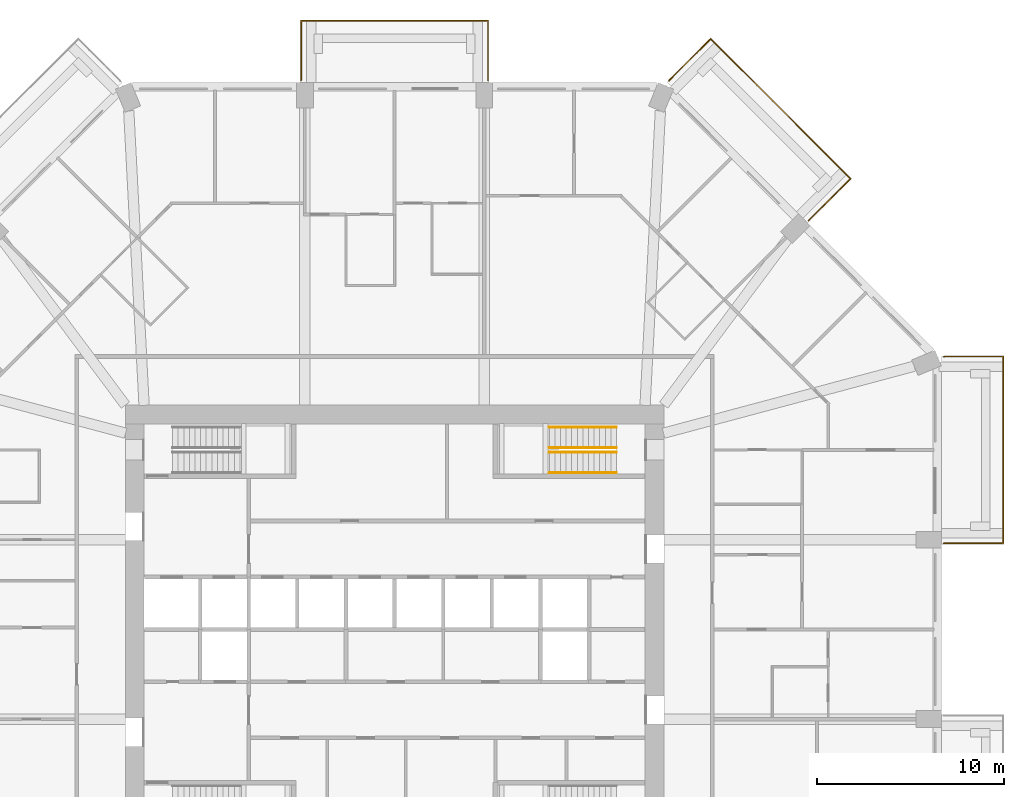
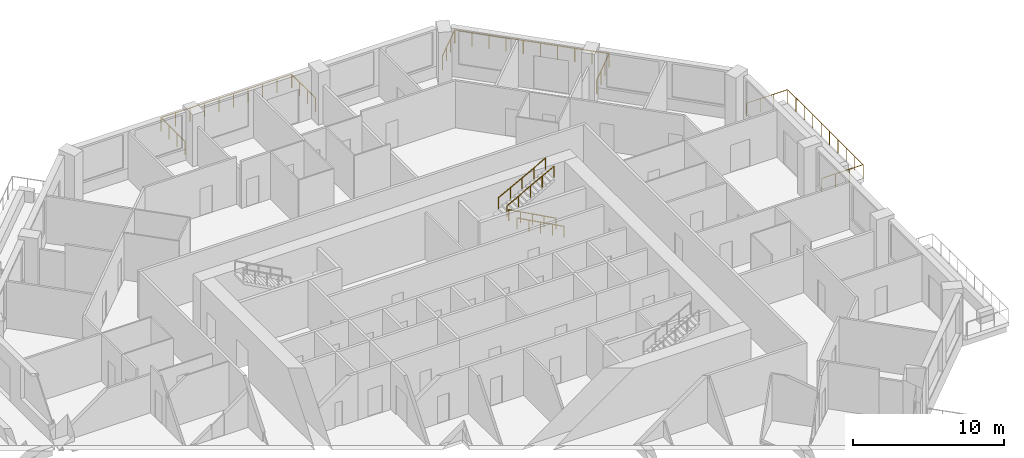
# One storey, part 13 of 13: 7 railings.
"""IFC4 building model written with IfcOpenShell, lengths in metres."""

from ifc_helpers import new_model, si_unit, direction, frame, origin, origin_2d, place, context, subcontext, project, spatial, circle, extrude, material, constituent, constituent_set, type_object, element, save


model = new_model("IFC4")

# Units and contexts
model_context = context("Model", 3, precision=1e-05, world=origin(), true_north=direction((0.0, 1.0)))
body_context = subcontext(model_context, "Body", "Model", "MODEL_VIEW")
ifc_project = project(units=[si_unit("LENGTHUNIT", "METRE"), si_unit("AREAUNIT", "SQUARE_METRE"), si_unit("VOLUMEUNIT", "CUBIC_METRE"), si_unit("PLANEANGLEUNIT", "RADIAN"), si_unit("MASSUNIT", "GRAM", prefix="KILO")], contexts=[model_context])

# Site, building, storey
site_placement = place(None, origin())
site = spatial("IfcSite", under=ifc_project, at=site_placement, CompositionType="ELEMENT")
building_placement = place(site_placement, origin())
building = spatial("IfcBuilding", under=site, at=building_placement, Name="Msitu Wima Residences", CompositionType="ELEMENT")
storey_placement = place(building_placement, frame((0.0, 0.0, 92.699951171875)))
storey = spatial("IfcBuildingStorey", under=building, at=storey_placement, Name="L21", CompositionType="ELEMENT", Elevation=92.699951171875)

# Railings
ifc_material_1 = material(Name="Steel S355", Category="steel")
ifc_constituent_1 = constituent(ifc_material_1, Name="Steel S355")
ifc_material_2 = material(Name="Weathering patina")
ifc_constituent_2 = constituent(ifc_material_2, Name="Weathering patina")
ifc_constituent_set_1 = constituent_set(constituents=[ifc_constituent_1, ifc_constituent_2], Name="Steel S355")
railing_type_1 = type_object("IfcRailingType", Name="Balcony guard GR1100", PredefinedType="GUARDRAIL", material=ifc_constituent_set_1)
railing_1_placement = place(storey_placement, frame((29.3798828125, 14.586181640625, 0.0)))
element("IfcRailing", 1, at=railing_1_placement, inside=storey, type_object=railing_type_1, Name="Balcony guard E2 L21", PredefinedType="GUARDRAIL", context=body_context, shape_type="SweptSolid", body=[
    extrude(circle(Radius=0.02392578125, at=origin_2d()), frame((0.0, 0.0, 1.076171875), z_axis=(0.92426142649, 0.38176015442, 0.0), x_axis=(-0.38176015442, 0.92426142649, 0.0)), (0.0, 0.0, 1.0), 0.036376953125),
    extrude(circle(Radius=0.02392578125, at=origin_2d()), frame((0.03369140625, 0.013916015625, 1.076171875), z_axis=(1.0, 0.0, 0.0), x_axis=(0.0, 1.0, 0.0)), (0.0, 0.0, 1.0), 3.136474609375),
    extrude(circle(Radius=0.02392578125, at=origin_2d()), frame((3.170166015625, 0.013916015625, 1.076171875), z_axis=(0.0, -1.0, 0.0), x_axis=(1.0, 0.0, 0.0)), (0.0, 0.0, 1.0), 10.0),
    extrude(circle(Radius=0.02392578125, at=origin_2d()), frame((3.170166015625, -9.986083984375, 1.076171875), z_axis=(-1.0, 0.0, 0.0), x_axis=(0.0, -1.0, 0.0)), (0.0, 0.0, 1.0), 3.170166015625),
    extrude(circle(Radius=0.02099609375, at=origin_2d()), origin(), (0.0, 0.0, 1.0), 1.052001953125),
    extrude(circle(Radius=0.02099609375, at=origin_2d()), frame((0.03369140625, 0.013916015625, 0.0)), (0.0, 0.0, 1.0), 1.052001953125),
    extrude(circle(Radius=0.02099609375, at=origin_2d()), frame((1.0791015625, 0.013916015625, 0.0)), (0.0, 0.0, 1.0), 1.052001953125),
    extrude(circle(Radius=0.02099609375, at=origin_2d()), frame((2.124755859375, 0.013916015625, 0.0)), (0.0, 0.0, 1.0), 1.052001953125),
    extrude(circle(Radius=0.02099609375, at=origin_2d()), frame((3.170166015625, 0.013916015625, 0.0)), (0.0, 0.0, 1.0), 1.052001953125),
    extrude(circle(Radius=0.02099609375, at=origin_2d()), frame((3.170166015625, -1.09716796875, 0.0)), (0.0, 0.0, 1.0), 1.052001953125),
    extrude(circle(Radius=0.02099609375, at=origin_2d()), frame((3.170166015625, -2.208251953125, 0.0)), (0.0, 0.0, 1.0), 1.052001953125),
    extrude(circle(Radius=0.02099609375, at=origin_2d()), frame((3.170166015625, -3.3193359375, 0.0)), (0.0, 0.0, 1.0), 1.052001953125),
    extrude(circle(Radius=0.02099609375, at=origin_2d()), frame((3.170166015625, -4.430419921875, 0.0)), (0.0, 0.0, 1.0), 1.052001953125),
    extrude(circle(Radius=0.02099609375, at=origin_2d()), frame((3.170166015625, -5.541748046875, 0.0)), (0.0, 0.0, 1.0), 1.052001953125),
    extrude(circle(Radius=0.02099609375, at=origin_2d()), frame((3.170166015625, -6.65283203125, 0.0)), (0.0, 0.0, 1.0), 1.052001953125),
    extrude(circle(Radius=0.02099609375, at=origin_2d()), frame((3.170166015625, -7.763916015625, 0.0)), (0.0, 0.0, 1.0), 1.052001953125),
    extrude(circle(Radius=0.02099609375, at=origin_2d()), frame((3.170166015625, -8.875, 0.0)), (0.0, 0.0, 1.0), 1.052001953125),
    extrude(circle(Radius=0.02099609375, at=origin_2d()), frame((3.170166015625, -9.986083984375, 0.0)), (0.0, 0.0, 1.0), 1.052001953125),
    extrude(circle(Radius=0.02099609375, at=origin_2d()), frame((2.113525390625, -9.986083984375, 0.0)), (0.0, 0.0, 1.0), 1.052001953125),
    extrude(circle(Radius=0.02099609375, at=origin_2d()), frame((1.056640625, -9.986083984375, 0.0)), (0.0, 0.0, 1.0), 1.052001953125),
    extrude(circle(Radius=0.02099609375, at=origin_2d()), frame((0.0, -9.986083984375, 0.0)), (0.0, 0.0, 1.0), 1.052001953125),
])
railing_2_placement = place(storey_placement, frame((14.678466796875, 29.341796875, 0.0)))
element("IfcRailing", 2, at=railing_2_placement, inside=storey, type_object=railing_type_1, Name="Balcony guard NE1 L21", PredefinedType="GUARDRAIL", context=body_context, shape_type="SweptSolid", body=[
    extrude(circle(Radius=0.02392578125, at=origin_2d()), frame((0.0, 0.0, 1.076171875), z_axis=(0.384136806859, 0.923276184907, 0.0), x_axis=(-0.923276184907, 0.384136806859, 0.0)), (0.0, 0.0, 1.0), 0.0361328125),
    extrude(circle(Radius=0.02392578125, at=origin_2d()), frame((0.013916015625, 0.033447265625, 1.076171875), z_axis=(0.707106781187, 0.707106781187, 0.0), x_axis=(-0.707106781187, 0.707106781187, 0.0)), (0.0, 0.0, 1.0), 3.136474609375),
    extrude(circle(Radius=0.02392578125, at=origin_2d()), frame((2.231689453125, 2.251220703125, 1.076171875), z_axis=(0.707118316465, -0.70709524572, 0.0), x_axis=(0.70709524572, 0.707118316465, 0.0)), (0.0, 0.0, 1.0), 10.582275390625),
    extrude(circle(Radius=0.02392578125, at=origin_2d()), frame((9.714599609375, -5.2314453125, 1.076171875), z_axis=(-0.707068272989, -0.707145287287, 0.0), x_axis=(0.707145287287, -0.707068272989, 0.0)), (0.0, 0.0, 1.0), 3.170166015625),
    extrude(circle(Radius=0.02099609375, at=origin_2d()), origin(), (0.0, 0.0, 1.0), 1.052001953125),
    extrude(circle(Radius=0.02099609375, at=origin_2d()), frame((0.013916015625, 0.033447265625, 0.0)), (0.0, 0.0, 1.0), 1.052001953125),
    extrude(circle(Radius=0.02099609375, at=origin_2d()), frame((0.753173828125, 0.772705078125, 0.0)), (0.0, 0.0, 1.0), 1.052001953125),
    extrude(circle(Radius=0.02099609375, at=origin_2d()), frame((1.492431640625, 1.511962890625, 0.0)), (0.0, 0.0, 1.0), 1.052001953125),
    extrude(circle(Radius=0.02099609375, at=origin_2d()), frame((2.231689453125, 2.251220703125, 0.0)), (0.0, 0.0, 1.0), 1.052001953125),
    extrude(circle(Radius=0.02099609375, at=origin_2d()), frame((3.063232421875, 1.419921875, 0.0)), (0.0, 0.0, 1.0), 1.052001953125),
    extrude(circle(Radius=0.02099609375, at=origin_2d()), frame((3.89453125, 0.58837890625, 0.0)), (0.0, 0.0, 1.0), 1.052001953125),
    extrude(circle(Radius=0.02099609375, at=origin_2d()), frame((4.72607421875, -0.242919921875, 0.0)), (0.0, 0.0, 1.0), 1.052001953125),
    extrude(circle(Radius=0.02099609375, at=origin_2d()), frame((5.557373046875, -1.074462890625, 0.0)), (0.0, 0.0, 1.0), 1.052001953125),
    extrude(circle(Radius=0.02099609375, at=origin_2d()), frame((6.388916015625, -1.90576171875, 0.0)), (0.0, 0.0, 1.0), 1.052001953125),
    extrude(circle(Radius=0.02099609375, at=origin_2d()), frame((7.22021484375, -2.7373046875, 0.0)), (0.0, 0.0, 1.0), 1.052001953125),
    extrude(circle(Radius=0.02099609375, at=origin_2d()), frame((8.0517578125, -3.568603515625, 0.0)), (0.0, 0.0, 1.0), 1.052001953125),
    extrude(circle(Radius=0.02099609375, at=origin_2d()), frame((8.883056640625, -4.400146484375, 0.0)), (0.0, 0.0, 1.0), 1.052001953125),
    extrude(circle(Radius=0.02099609375, at=origin_2d()), frame((9.714599609375, -5.2314453125, 0.0)), (0.0, 0.0, 1.0), 1.052001953125),
    extrude(circle(Radius=0.02099609375, at=origin_2d()), frame((8.967529296875, -5.978759765625, 0.0)), (0.0, 0.0, 1.0), 1.052001953125),
    extrude(circle(Radius=0.02099609375, at=origin_2d()), frame((8.22021484375, -6.725830078125, 0.0)), (0.0, 0.0, 1.0), 1.052001953125),
    extrude(circle(Radius=0.02099609375, at=origin_2d()), frame((7.47314453125, -7.47314453125, 0.0)), (0.0, 0.0, 1.0), 1.052001953125),
])
railing_3_placement = place(storey_placement, frame((-5.0, 29.3798828125, 0.0)))
element("IfcRailing", 3, at=railing_3_placement, inside=storey, type_object=railing_type_1, Name="Balcony guard N1 L21", PredefinedType="GUARDRAIL", context=body_context, shape_type="SweptSolid", body=[
    extrude(circle(Radius=0.02392578125, at=origin_2d()), frame((0.0, 0.0, 1.076171875), z_axis=(0.0, 1.0, 0.0), x_axis=(-1.0, 0.0, 0.0)), (0.0, 0.0, 1.0), 3.170166015625),
    extrude(circle(Radius=0.02392578125, at=origin_2d()), frame((0.0, 3.170166015625, 1.076171875), z_axis=(1.0, 0.0, 0.0), x_axis=(0.0, 1.0, 0.0)), (0.0, 0.0, 1.0), 10.0),
    extrude(circle(Radius=0.02392578125, at=origin_2d()), frame((10.0, 3.170166015625, 1.076171875), z_axis=(0.0, -1.0, 0.0), x_axis=(1.0, 0.0, 0.0)), (0.0, 0.0, 1.0), 3.170166015625),
    extrude(circle(Radius=0.02099609375, at=origin_2d()), origin(), (0.0, 0.0, 1.0), 1.052001953125),
    extrude(circle(Radius=0.02099609375, at=origin_2d()), frame((0.0, 1.056640625, 0.0)), (0.0, 0.0, 1.0), 1.052001953125),
    extrude(circle(Radius=0.02099609375, at=origin_2d()), frame((0.0, 2.113525390625, 0.0)), (0.0, 0.0, 1.0), 1.052001953125),
    extrude(circle(Radius=0.02099609375, at=origin_2d()), frame((0.0, 3.170166015625, 0.0)), (0.0, 0.0, 1.0), 1.052001953125),
    extrude(circle(Radius=0.02099609375, at=origin_2d()), frame((1.111083984375, 3.170166015625, 0.0)), (0.0, 0.0, 1.0), 1.052001953125),
    extrude(circle(Radius=0.02099609375, at=origin_2d()), frame((2.22216796875, 3.170166015625, 0.0)), (0.0, 0.0, 1.0), 1.052001953125),
    extrude(circle(Radius=0.02099609375, at=origin_2d()), frame((3.333251953125, 3.170166015625, 0.0)), (0.0, 0.0, 1.0), 1.052001953125),
    extrude(circle(Radius=0.02099609375, at=origin_2d()), frame((4.4443359375, 3.170166015625, 0.0)), (0.0, 0.0, 1.0), 1.052001953125),
    extrude(circle(Radius=0.02099609375, at=origin_2d()), frame((5.5556640625, 3.170166015625, 0.0)), (0.0, 0.0, 1.0), 1.052001953125),
    extrude(circle(Radius=0.02099609375, at=origin_2d()), frame((6.666748046875, 3.170166015625, 0.0)), (0.0, 0.0, 1.0), 1.052001953125),
    extrude(circle(Radius=0.02099609375, at=origin_2d()), frame((7.77783203125, 3.170166015625, 0.0)), (0.0, 0.0, 1.0), 1.052001953125),
    extrude(circle(Radius=0.02099609375, at=origin_2d()), frame((8.888916015625, 3.170166015625, 0.0)), (0.0, 0.0, 1.0), 1.052001953125),
    extrude(circle(Radius=0.02099609375, at=origin_2d()), frame((10.0, 3.170166015625, 0.0)), (0.0, 0.0, 1.0), 1.052001953125),
    extrude(circle(Radius=0.02099609375, at=origin_2d()), frame((10.0, 2.113525390625, 0.0)), (0.0, 0.0, 1.0), 1.052001953125),
    extrude(circle(Radius=0.02099609375, at=origin_2d()), frame((10.0, 1.056640625, 0.0)), (0.0, 0.0, 1.0), 1.052001953125),
    extrude(circle(Radius=0.02099609375, at=origin_2d()), frame((10.0, 0.0, 0.0)), (0.0, 0.0, 1.0), 1.052001953125),
])
ifc_constituent_3 = constituent(ifc_material_1, Name="Steel S355")
ifc_material_3 = material(Name="Black powder coating")
ifc_constituent_4 = constituent(ifc_material_3, Name="Black powder coating")
ifc_constituent_set_2 = constituent_set(constituents=[ifc_constituent_3, ifc_constituent_4], Name="Steel S355")
railing_type_2 = type_object("IfcRailingType", Name="Stair handrail HR1", PredefinedType="HANDRAIL", material=ifc_constituent_set_2)
for number, where, name in (
    (4, (11.875, 8.375, 0.16162109375), "Stair 3 handrail"),
    (5, (11.875, 9.47509765625, 0.16162109375), "Stair 3 handrail"),
):
    element("IfcRailing", number, at=place(storey_placement, frame(where)), inside=storey, type_object=railing_type_2, Name=name, PredefinedType="HANDRAIL", context=body_context, shape_type="SweptSolid", body=[
        extrude(circle(Radius=0.02392578125, at=origin_2d()), frame((0.0, 0.0, 0.8759765625), z_axis=(-0.880474934443, 0.0, 0.474092701714), x_axis=(0.0, -1.0, 0.0)), (0.0, 0.0, 1.0), 4.0888671875),
        extrude(circle(Radius=0.02099609375, at=origin_2d()), origin(), (0.0, 0.0, 1.0), 0.851806640625),
        extrude(circle(Radius=0.02099609375, at=origin_2d()), frame((-0.89990234375, 0.0, 0.484619140625)), (0.0, 0.0, 1.0), 0.851806640625),
        extrude(circle(Radius=0.02099609375, at=origin_2d()), frame((-1.800048828125, 0.0, 0.96923828125)), (0.0, 0.0, 1.0), 0.851806640625),
        extrude(circle(Radius=0.02099609375, at=origin_2d()), frame((-2.7001953125, 0.0, 1.453857421875)), (0.0, 0.0, 1.0), 0.851806640625),
        extrude(circle(Radius=0.02099609375, at=origin_2d()), frame((-3.60009765625, 0.0, 1.9384765625)), (0.0, 0.0, 1.0), 0.851806640625),
    ])
for number, where, name in (
    (6, (8.27490234375, 9.72509765625, 2.261474609375), "Stair 3 handrail"),
    (7, (8.27490234375, 10.824951171875, 2.261474609375), "Stair 3 handrail"),
):
    element("IfcRailing", number, at=place(storey_placement, frame(where)), inside=storey, type_object=railing_type_2, Name=name, PredefinedType="HANDRAIL", context=body_context, shape_type="SweptSolid", body=[
        extrude(circle(Radius=0.02392578125, at=origin_2d()), frame((0.0, 0.0, 0.8759765625), z_axis=(0.880474934443, 0.0, 0.474092701714), x_axis=(0.0, 1.0, 0.0)), (0.0, 0.0, 1.0), 4.0888671875),
        extrude(circle(Radius=0.02099609375, at=origin_2d()), origin(), (0.0, 0.0, 1.0), 0.851806640625),
        extrude(circle(Radius=0.02099609375, at=origin_2d()), frame((0.89990234375, 0.0, 0.484619140625)), (0.0, 0.0, 1.0), 0.851806640625),
        extrude(circle(Radius=0.02099609375, at=origin_2d()), frame((1.800048828125, 0.0, 0.96923828125)), (0.0, 0.0, 1.0), 0.851806640625),
        extrude(circle(Radius=0.02099609375, at=origin_2d()), frame((2.7001953125, 0.0, 1.453857421875)), (0.0, 0.0, 1.0), 0.851806640625),
        extrude(circle(Radius=0.02099609375, at=origin_2d()), frame((3.60009765625, 0.0, 1.9384765625)), (0.0, 0.0, 1.0), 0.851806640625),
    ])

save(model, "model.ifc")
